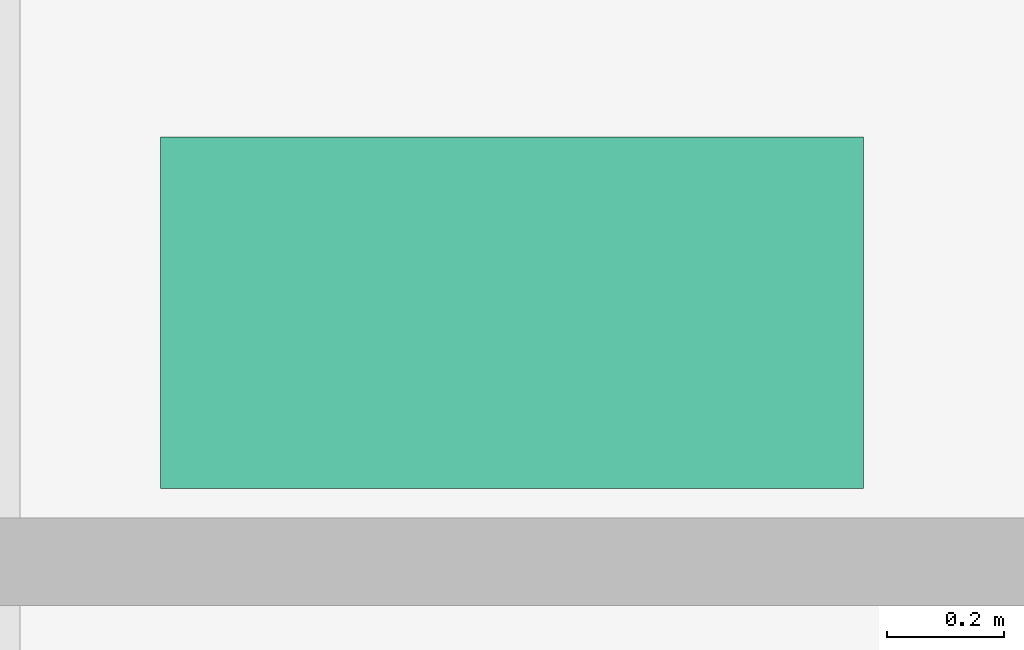
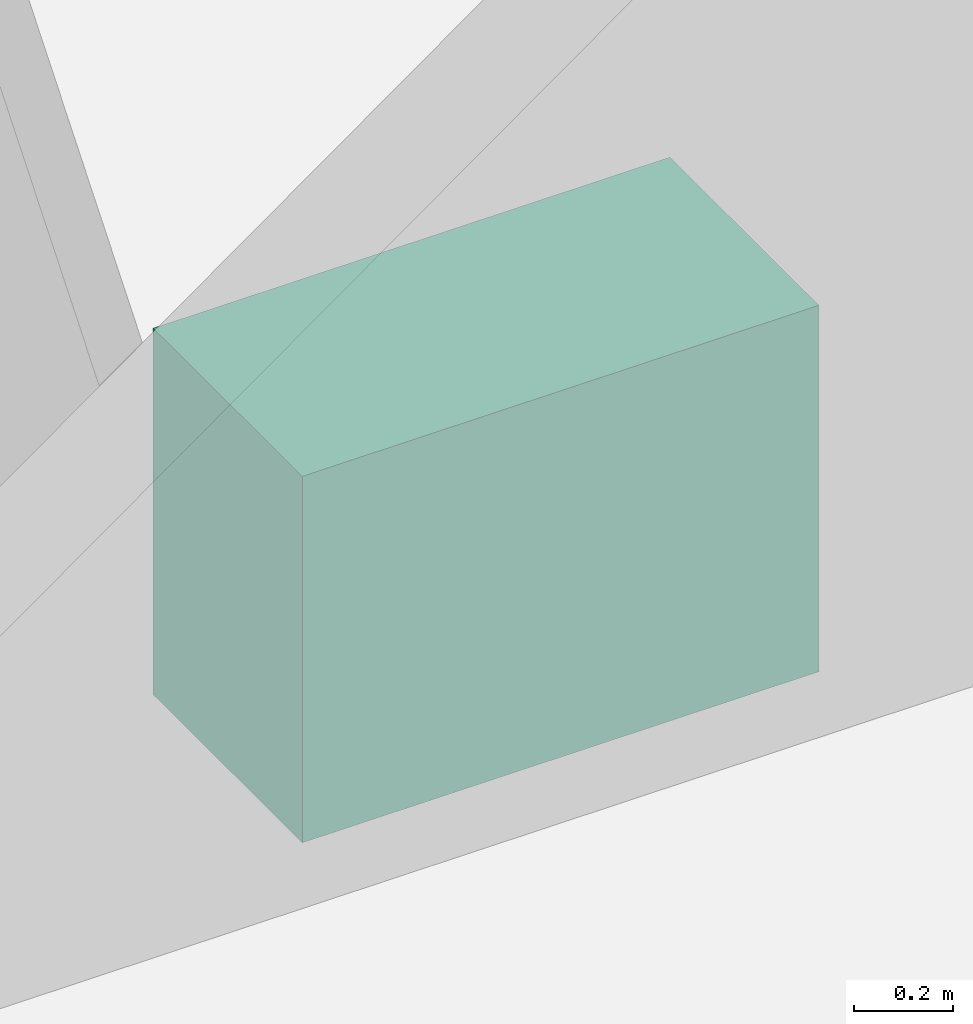
# One storey, part 13 of 13: 1 sanitary terminal.
"""IFC4 building model written with IfcOpenShell, lengths in metres."""

from ifc_helpers import new_model, si_unit, direction, frame, origin, origin_2d, place, context, subcontext, project, spatial, rectangle, extrude, material, type_object, element, save


model = new_model("IFC4")

# Units and contexts
model_context = context("Model", 3, precision=1e-05, world=origin(), true_north=direction((0.0, 1.0)))
body_context = subcontext(model_context, "Body", "Model", "MODEL_VIEW")
ifc_project = project(units=[si_unit("LENGTHUNIT", "METRE"), si_unit("AREAUNIT", "SQUARE_METRE"), si_unit("VOLUMEUNIT", "CUBIC_METRE"), si_unit("PLANEANGLEUNIT", "RADIAN"), si_unit("MASSUNIT", "GRAM", prefix="KILO")], contexts=[model_context])

# Site, building, storey
site_placement = place(None, origin())
site = spatial("IfcSite", under=ifc_project, at=site_placement, CompositionType="ELEMENT")
building_placement = place(site_placement, origin())
building = spatial("IfcBuilding", under=site, at=building_placement, Name="Tessera Gate Towers", CompositionType="ELEMENT")
storey_placement = place(building_placement, frame((0.0, 0.0, 131.60009765625)))
storey = spatial("IfcBuildingStorey", under=building, at=storey_placement, Name="L32", CompositionType="ELEMENT", Elevation=131.60009765625)

# Sanitary terminal
ifc_material = material(Name="Vitreous china")
sanitary_terminal_type = type_object("IfcSanitaryTerminalType", Name="LABORATORY SINK 1200x600", PredefinedType="SINK", material=ifc_material)
sanitary_terminal_placement = place(storey_placement, frame((57.85009765625, 14.52490234375, 0.0), z_axis=(0.0, 0.0, 1.0), x_axis=(1.0, 0.0, 0.0)))
element("IfcSanitaryTerminal", 1, at=sanitary_terminal_placement, inside=storey, type_object=sanitary_terminal_type, Name="Laboratory sink", PredefinedType="SINK", context=body_context, shape_type="SweptSolid", body=[
    extrude(rectangle(XDim=1.199951171875, YDim=0.60009765625, at=origin_2d()), origin(), (0.0, 0.0, 1.0), 0.89990234375),
])

save(model, "model.ifc")
